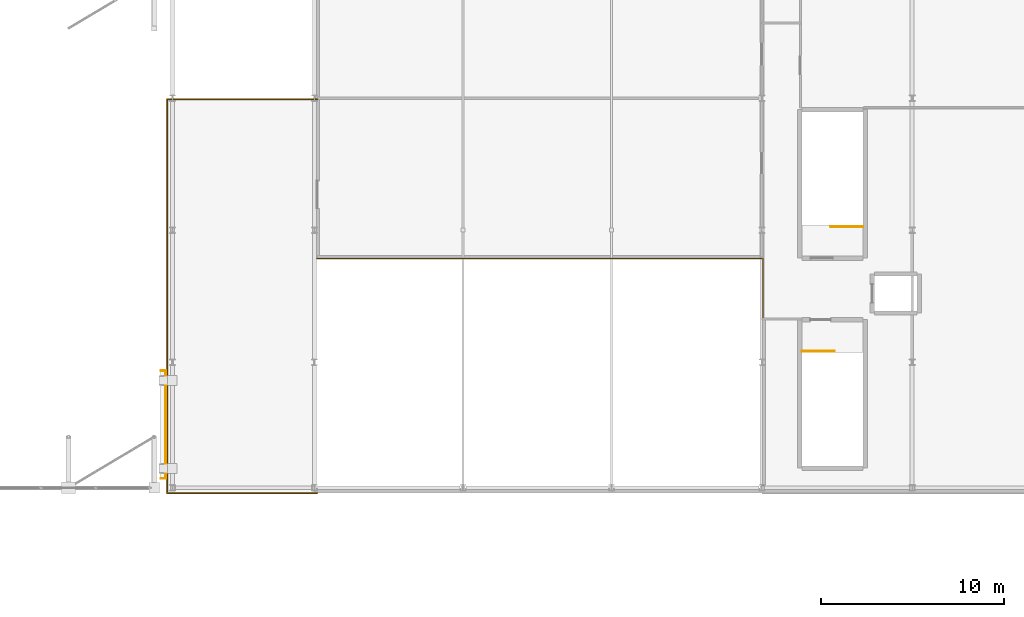
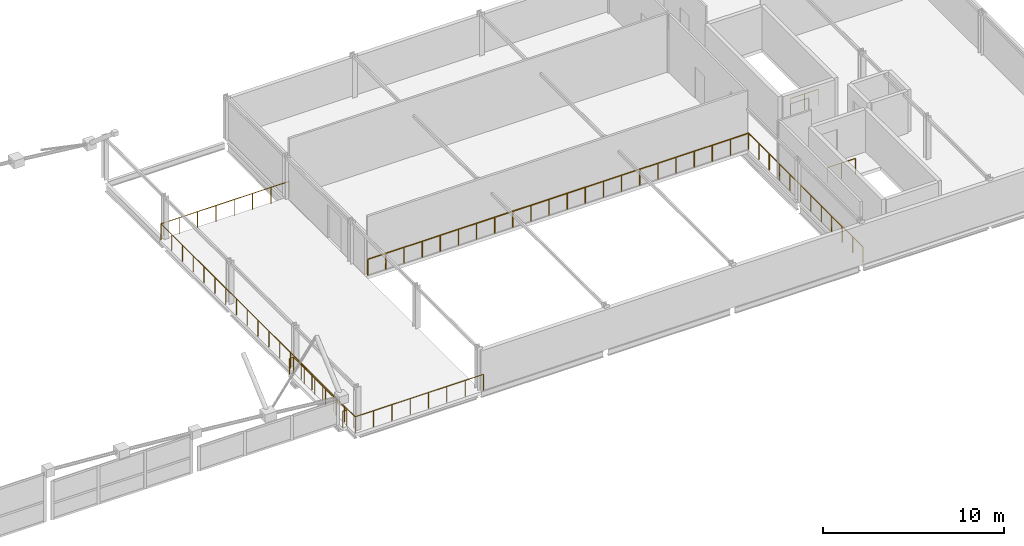
# One storey, part 60 of 60: 5 railings.
"""IFC4 building model written with IfcOpenShell, lengths in metres."""

from ifc_helpers import new_model, si_unit, direction, frame, origin, origin_2d, place, context, subcontext, project, spatial, circle, extrude, material, type_object, element, save


model = new_model("IFC4")

# Units and contexts
model_context = context("Model", 3, precision=1e-05, world=origin(), true_north=direction((0.0, 1.0)))
body_context = subcontext(model_context, "Body", "Model", "MODEL_VIEW")
ifc_project = project(units=[si_unit("LENGTHUNIT", "METRE"), si_unit("AREAUNIT", "SQUARE_METRE"), si_unit("VOLUMEUNIT", "CUBIC_METRE"), si_unit("PLANEANGLEUNIT", "RADIAN"), si_unit("MASSUNIT", "GRAM", prefix="KILO")], contexts=[model_context])

# Site, building, storey
site_placement = place(None, origin())
site = spatial("IfcSite", under=ifc_project, at=site_placement, CompositionType="ELEMENT")
building_placement = place(site_placement, origin())
building = spatial("IfcBuilding", under=site, at=building_placement, Name="Quillay Park Conservatory", CompositionType="ELEMENT")
storey_placement = place(building_placement, frame((0.0, 0.0, 9.89990234375)))
storey = spatial("IfcBuildingStorey", under=building, at=storey_placement, Name="L02", CompositionType="ELEMENT", Elevation=9.89990234375)

# Railings
ifc_material_1 = material(Name="Steel S355J2H", Category="steel")
railing_type_1 = type_object("IfcRailingType", Name="STAIR WELL GUARDRAIL 1100", PredefinedType="GUARDRAIL", material=ifc_material_1)
railing_1_placement = place(storey_placement, frame((150.199951171875, 93.0, 0.0)))
element("IfcRailing", 1, at=railing_1_placement, inside=storey, type_object=railing_type_1, Name="L02 ST-A1 top well guard 1", PredefinedType="GUARDRAIL", context=body_context, shape_type="SweptSolid", body=[
    extrude(circle(Radius=0.02392578125, at=origin_2d()), frame((0.0, 0.0, 1.076171875), z_axis=(1.0, 0.0, 0.0), x_axis=(0.0, 1.0, 0.0)), (0.0, 0.0, 1.0), 1.760009765625),
    extrude(circle(Radius=0.02099609375, at=origin_2d()), origin(), (0.0, 0.0, 1.0), 1.052001953125),
    extrude(circle(Radius=0.02099609375, at=origin_2d()), frame((0.8798828125, 0.0, 0.0)), (0.0, 0.0, 1.0), 1.052001953125),
    extrude(circle(Radius=0.02099609375, at=origin_2d()), frame((1.760009765625, 0.0, 0.0)), (0.0, 0.0, 1.0), 1.052001953125),
])
railing_2_placement = place(storey_placement, frame((153.52001953125, 99.800048828125, 0.0)))
element("IfcRailing", 2, at=railing_2_placement, inside=storey, type_object=railing_type_1, Name="L02 ST-A2 top well guard 1", PredefinedType="GUARDRAIL", context=body_context, shape_type="SweptSolid", body=[
    extrude(circle(Radius=0.02392578125, at=origin_2d()), frame((0.0, 0.0, 1.076171875), z_axis=(-1.0, 0.0, 0.0), x_axis=(0.0, -1.0, 0.0)), (0.0, 0.0, 1.0), 1.760009765625),
    extrude(circle(Radius=0.02099609375, at=origin_2d()), origin(), (0.0, 0.0, 1.0), 1.052001953125),
    extrude(circle(Radius=0.02099609375, at=origin_2d()), frame((-0.8798828125, 0.0, 0.0)), (0.0, 0.0, 1.0), 1.052001953125),
    extrude(circle(Radius=0.02099609375, at=origin_2d()), frame((-1.760009765625, 0.0, 0.0)), (0.0, 0.0, 1.0), 1.052001953125),
])
ifc_material_2 = material(Name="Steel S355J2H", Category="steel")
railing_type_2 = type_object("IfcRailingType", Name="TERRACE PERIMETER GUARDRAIL 1100", PredefinedType="GUARDRAIL", material=ifc_material_2)
railing_3_placement = place(storey_placement, frame((123.75, 85.260009765625, 0.0)))
element("IfcRailing", 3, at=railing_3_placement, inside=storey, type_object=railing_type_2, Name="L02 Perimeter Safety Guardrail 002", PredefinedType="GUARDRAIL", context=body_context, shape_type="SweptSolid", body=[
    extrude(circle(Radius=0.02392578125, at=origin_2d()), frame((0.0, 0.0, 1.076171875), z_axis=(-1.0, 0.0, 0.0), x_axis=(0.0, -1.0, 0.0)), (0.0, 0.0, 1.0), 8.18994140625),
    extrude(circle(Radius=0.02392578125, at=origin_2d()), frame((-8.18994140625, 0.0, 1.076171875), z_axis=(0.0, 1.0, 0.0), x_axis=(-1.0, 0.0, 0.0)), (0.0, 0.0, 1.0), 21.47998046875),
    extrude(circle(Radius=0.02392578125, at=origin_2d()), frame((-8.18994140625, 21.47998046875, 1.076171875), z_axis=(1.0, 0.0, 0.0), x_axis=(0.0, 1.0, 0.0)), (0.0, 0.0, 1.0), 8.18994140625),
    extrude(circle(Radius=0.02099609375, at=origin_2d()), origin(), (0.0, 0.0, 1.0), 1.052001953125),
    extrude(circle(Radius=0.02099609375, at=origin_2d()), frame((-1.169921875, 0.0, 0.0)), (0.0, 0.0, 1.0), 1.052001953125),
    extrude(circle(Radius=0.02099609375, at=origin_2d()), frame((-2.340087890625, 0.0, 0.0)), (0.0, 0.0, 1.0), 1.052001953125),
    extrude(circle(Radius=0.02099609375, at=origin_2d()), frame((-3.510009765625, 0.0, 0.0)), (0.0, 0.0, 1.0), 1.052001953125),
    extrude(circle(Radius=0.02099609375, at=origin_2d()), frame((-4.679931640625, 0.0, 0.0)), (0.0, 0.0, 1.0), 1.052001953125),
    extrude(circle(Radius=0.02099609375, at=origin_2d()), frame((-5.849853515625, 0.0, 0.0)), (0.0, 0.0, 1.0), 1.052001953125),
    extrude(circle(Radius=0.02099609375, at=origin_2d()), frame((-7.02001953125, 0.0, 0.0)), (0.0, 0.0, 1.0), 1.052001953125),
    extrude(circle(Radius=0.02099609375, at=origin_2d()), frame((-8.18994140625, 0.0, 0.0)), (0.0, 0.0, 1.0), 1.052001953125),
    extrude(circle(Radius=0.02099609375, at=origin_2d()), frame((-8.18994140625, 1.193359375, 0.0)), (0.0, 0.0, 1.0), 1.052001953125),
    extrude(circle(Radius=0.02099609375, at=origin_2d()), frame((-8.18994140625, 2.38671875, 0.0)), (0.0, 0.0, 1.0), 1.052001953125),
    extrude(circle(Radius=0.02099609375, at=origin_2d()), frame((-8.18994140625, 3.580078125, 0.0)), (0.0, 0.0, 1.0), 1.052001953125),
    extrude(circle(Radius=0.02099609375, at=origin_2d()), frame((-8.18994140625, 4.7734375, 0.0)), (0.0, 0.0, 1.0), 1.052001953125),
    extrude(circle(Radius=0.02099609375, at=origin_2d()), frame((-8.18994140625, 5.966552734375, 0.0)), (0.0, 0.0, 1.0), 1.052001953125),
    extrude(circle(Radius=0.02099609375, at=origin_2d()), frame((-8.18994140625, 7.159912109375, 0.0)), (0.0, 0.0, 1.0), 1.052001953125),
    extrude(circle(Radius=0.02099609375, at=origin_2d()), frame((-8.18994140625, 8.353271484375, 0.0)), (0.0, 0.0, 1.0), 1.052001953125),
    extrude(circle(Radius=0.02099609375, at=origin_2d()), frame((-8.18994140625, 9.546630859375, 0.0)), (0.0, 0.0, 1.0), 1.052001953125),
    extrude(circle(Radius=0.02099609375, at=origin_2d()), frame((-8.18994140625, 10.739990234375, 0.0)), (0.0, 0.0, 1.0), 1.052001953125),
    extrude(circle(Radius=0.02099609375, at=origin_2d()), frame((-8.18994140625, 11.933349609375, 0.0)), (0.0, 0.0, 1.0), 1.052001953125),
    extrude(circle(Radius=0.02099609375, at=origin_2d()), frame((-8.18994140625, 13.126708984375, 0.0)), (0.0, 0.0, 1.0), 1.052001953125),
    extrude(circle(Radius=0.02099609375, at=origin_2d()), frame((-8.18994140625, 14.320068359375, 0.0)), (0.0, 0.0, 1.0), 1.052001953125),
    extrude(circle(Radius=0.02099609375, at=origin_2d()), frame((-8.18994140625, 15.513427734375, 0.0)), (0.0, 0.0, 1.0), 1.052001953125),
    extrude(circle(Radius=0.02099609375, at=origin_2d()), frame((-8.18994140625, 16.70654296875, 0.0)), (0.0, 0.0, 1.0), 1.052001953125),
    extrude(circle(Radius=0.02099609375, at=origin_2d()), frame((-8.18994140625, 17.89990234375, 0.0)), (0.0, 0.0, 1.0), 1.052001953125),
    extrude(circle(Radius=0.02099609375, at=origin_2d()), frame((-8.18994140625, 19.09326171875, 0.0)), (0.0, 0.0, 1.0), 1.052001953125),
    extrude(circle(Radius=0.02099609375, at=origin_2d()), frame((-8.18994140625, 20.28662109375, 0.0)), (0.0, 0.0, 1.0), 1.052001953125),
    extrude(circle(Radius=0.02099609375, at=origin_2d()), frame((-8.18994140625, 21.47998046875, 0.0)), (0.0, 0.0, 1.0), 1.052001953125),
    extrude(circle(Radius=0.02099609375, at=origin_2d()), frame((-7.02001953125, 21.47998046875, 0.0)), (0.0, 0.0, 1.0), 1.052001953125),
    extrude(circle(Radius=0.02099609375, at=origin_2d()), frame((-5.849853515625, 21.47998046875, 0.0)), (0.0, 0.0, 1.0), 1.052001953125),
    extrude(circle(Radius=0.02099609375, at=origin_2d()), frame((-4.679931640625, 21.47998046875, 0.0)), (0.0, 0.0, 1.0), 1.052001953125),
    extrude(circle(Radius=0.02099609375, at=origin_2d()), frame((-3.510009765625, 21.47998046875, 0.0)), (0.0, 0.0, 1.0), 1.052001953125),
    extrude(circle(Radius=0.02099609375, at=origin_2d()), frame((-2.340087890625, 21.47998046875, 0.0)), (0.0, 0.0, 1.0), 1.052001953125),
    extrude(circle(Radius=0.02099609375, at=origin_2d()), frame((-1.169921875, 21.47998046875, 0.0)), (0.0, 0.0, 1.0), 1.052001953125),
    extrude(circle(Radius=0.02099609375, at=origin_2d()), frame((0.0, 21.47998046875, 0.0)), (0.0, 0.0, 1.0), 1.052001953125),
])
railing_4_placement = place(storey_placement, frame((148.06005859375, 85.39990234375, 0.0)))
element("IfcRailing", 4, at=railing_4_placement, inside=storey, type_object=railing_type_2, Name="L02 Perimeter Safety Guardrail 011", PredefinedType="GUARDRAIL", context=body_context, shape_type="SweptSolid", body=[
    extrude(circle(Radius=0.02392578125, at=origin_2d()), frame((0.0, 0.0, 1.076171875), z_axis=(0.0, 1.0, 0.0), x_axis=(-1.0, 0.0, 0.0)), (0.0, 0.0, 1.0), 12.66015625),
    extrude(circle(Radius=0.02392578125, at=origin_2d()), frame((0.0, 12.66015625, 1.076171875), z_axis=(-1.0, 0.0, 0.0), x_axis=(0.0, -1.0, 0.0)), (0.0, 0.0, 1.0), 24.31005859375),
    extrude(circle(Radius=0.02099609375, at=origin_2d()), origin(), (0.0, 0.0, 1.0), 1.052001953125),
    extrude(circle(Radius=0.02099609375, at=origin_2d()), frame((0.0, 1.15087890625, 0.0)), (0.0, 0.0, 1.0), 1.052001953125),
    extrude(circle(Radius=0.02099609375, at=origin_2d()), frame((0.0, 2.3017578125, 0.0)), (0.0, 0.0, 1.0), 1.052001953125),
    extrude(circle(Radius=0.02099609375, at=origin_2d()), frame((0.0, 3.452880859375, 0.0)), (0.0, 0.0, 1.0), 1.052001953125),
    extrude(circle(Radius=0.02099609375, at=origin_2d()), frame((0.0, 4.603759765625, 0.0)), (0.0, 0.0, 1.0), 1.052001953125),
    extrude(circle(Radius=0.02099609375, at=origin_2d()), frame((0.0, 5.754638671875, 0.0)), (0.0, 0.0, 1.0), 1.052001953125),
    extrude(circle(Radius=0.02099609375, at=origin_2d()), frame((0.0, 6.905517578125, 0.0)), (0.0, 0.0, 1.0), 1.052001953125),
    extrude(circle(Radius=0.02099609375, at=origin_2d()), frame((0.0, 8.056396484375, 0.0)), (0.0, 0.0, 1.0), 1.052001953125),
    extrude(circle(Radius=0.02099609375, at=origin_2d()), frame((0.0, 9.207275390625, 0.0)), (0.0, 0.0, 1.0), 1.052001953125),
    extrude(circle(Radius=0.02099609375, at=origin_2d()), frame((0.0, 10.3583984375, 0.0)), (0.0, 0.0, 1.0), 1.052001953125),
    extrude(circle(Radius=0.02099609375, at=origin_2d()), frame((0.0, 11.50927734375, 0.0)), (0.0, 0.0, 1.0), 1.052001953125),
    extrude(circle(Radius=0.02099609375, at=origin_2d()), frame((0.0, 12.66015625, 0.0)), (0.0, 0.0, 1.0), 1.052001953125),
    extrude(circle(Radius=0.02099609375, at=origin_2d()), frame((-1.15771484375, 12.66015625, 0.0)), (0.0, 0.0, 1.0), 1.052001953125),
    extrude(circle(Radius=0.02099609375, at=origin_2d()), frame((-2.315185546875, 12.66015625, 0.0)), (0.0, 0.0, 1.0), 1.052001953125),
    extrude(circle(Radius=0.02099609375, at=origin_2d()), frame((-3.472900390625, 12.66015625, 0.0)), (0.0, 0.0, 1.0), 1.052001953125),
    extrude(circle(Radius=0.02099609375, at=origin_2d()), frame((-4.63037109375, 12.66015625, 0.0)), (0.0, 0.0, 1.0), 1.052001953125),
    extrude(circle(Radius=0.02099609375, at=origin_2d()), frame((-5.7880859375, 12.66015625, 0.0)), (0.0, 0.0, 1.0), 1.052001953125),
    extrude(circle(Radius=0.02099609375, at=origin_2d()), frame((-6.94580078125, 12.66015625, 0.0)), (0.0, 0.0, 1.0), 1.052001953125),
    extrude(circle(Radius=0.02099609375, at=origin_2d()), frame((-8.103271484375, 12.66015625, 0.0)), (0.0, 0.0, 1.0), 1.052001953125),
    extrude(circle(Radius=0.02099609375, at=origin_2d()), frame((-9.260986328125, 12.66015625, 0.0)), (0.0, 0.0, 1.0), 1.052001953125),
    extrude(circle(Radius=0.02099609375, at=origin_2d()), frame((-10.418701171875, 12.66015625, 0.0)), (0.0, 0.0, 1.0), 1.052001953125),
    extrude(circle(Radius=0.02099609375, at=origin_2d()), frame((-11.576171875, 12.66015625, 0.0)), (0.0, 0.0, 1.0), 1.052001953125),
    extrude(circle(Radius=0.02099609375, at=origin_2d()), frame((-12.73388671875, 12.66015625, 0.0)), (0.0, 0.0, 1.0), 1.052001953125),
    extrude(circle(Radius=0.02099609375, at=origin_2d()), frame((-13.891357421875, 12.66015625, 0.0)), (0.0, 0.0, 1.0), 1.052001953125),
    extrude(circle(Radius=0.02099609375, at=origin_2d()), frame((-15.049072265625, 12.66015625, 0.0)), (0.0, 0.0, 1.0), 1.052001953125),
    extrude(circle(Radius=0.02099609375, at=origin_2d()), frame((-16.206787109375, 12.66015625, 0.0)), (0.0, 0.0, 1.0), 1.052001953125),
    extrude(circle(Radius=0.02099609375, at=origin_2d()), frame((-17.3642578125, 12.66015625, 0.0)), (0.0, 0.0, 1.0), 1.052001953125),
    extrude(circle(Radius=0.02099609375, at=origin_2d()), frame((-18.52197265625, 12.66015625, 0.0)), (0.0, 0.0, 1.0), 1.052001953125),
    extrude(circle(Radius=0.02099609375, at=origin_2d()), frame((-19.6796875, 12.66015625, 0.0)), (0.0, 0.0, 1.0), 1.052001953125),
    extrude(circle(Radius=0.02099609375, at=origin_2d()), frame((-20.837158203125, 12.66015625, 0.0)), (0.0, 0.0, 1.0), 1.052001953125),
    extrude(circle(Radius=0.02099609375, at=origin_2d()), frame((-21.994873046875, 12.66015625, 0.0)), (0.0, 0.0, 1.0), 1.052001953125),
    extrude(circle(Radius=0.02099609375, at=origin_2d()), frame((-23.15234375, 12.66015625, 0.0)), (0.0, 0.0, 1.0), 1.052001953125),
    extrude(circle(Radius=0.02099609375, at=origin_2d()), frame((-24.31005859375, 12.66015625, 0.0)), (0.0, 0.0, 1.0), 1.052001953125),
])
railing_5_placement = place(storey_placement, frame((115.219970703125, 86.06005859375, 0.0)))
element("IfcRailing", 5, at=railing_5_placement, inside=storey, type_object=railing_type_2, Name="L02 Perimeter Safety Guardrail 019", PredefinedType="GUARDRAIL", context=body_context, shape_type="SweptSolid", body=[
    extrude(circle(Radius=0.02392578125, at=origin_2d()), frame((0.0, 0.0, 1.076171875), z_axis=(1.0, 0.0, 0.0), x_axis=(0.0, 1.0, 0.0)), (0.0, 0.0, 1.0), 0.260009765625),
    extrude(circle(Radius=0.02392578125, at=origin_2d()), frame((0.260009765625, 0.0, 1.076171875), z_axis=(0.0, 1.0, 0.0), x_axis=(-1.0, 0.0, 0.0)), (0.0, 0.0, 1.0), 5.8798828125),
    extrude(circle(Radius=0.02392578125, at=origin_2d()), frame((0.260009765625, 5.8798828125, 1.076171875), z_axis=(-1.0, 0.0, 0.0), x_axis=(0.0, -1.0, 0.0)), (0.0, 0.0, 1.0), 0.260009765625),
    extrude(circle(Radius=0.02099609375, at=origin_2d()), origin(), (0.0, 0.0, 1.0), 1.052001953125),
    extrude(circle(Radius=0.02099609375, at=origin_2d()), frame((0.260009765625, 0.0, 0.0)), (0.0, 0.0, 1.0), 1.052001953125),
    extrude(circle(Radius=0.02099609375, at=origin_2d()), frame((0.260009765625, 1.176025390625, 0.0)), (0.0, 0.0, 1.0), 1.052001953125),
    extrude(circle(Radius=0.02099609375, at=origin_2d()), frame((0.260009765625, 2.35205078125, 0.0)), (0.0, 0.0, 1.0), 1.052001953125),
    extrude(circle(Radius=0.02099609375, at=origin_2d()), frame((0.260009765625, 3.52783203125, 0.0)), (0.0, 0.0, 1.0), 1.052001953125),
    extrude(circle(Radius=0.02099609375, at=origin_2d()), frame((0.260009765625, 4.703857421875, 0.0)), (0.0, 0.0, 1.0), 1.052001953125),
    extrude(circle(Radius=0.02099609375, at=origin_2d()), frame((0.260009765625, 5.8798828125, 0.0)), (0.0, 0.0, 1.0), 1.052001953125),
    extrude(circle(Radius=0.02099609375, at=origin_2d()), frame((0.0, 5.8798828125, 0.0)), (0.0, 0.0, 1.0), 1.052001953125),
])

save(model, "model.ifc")
